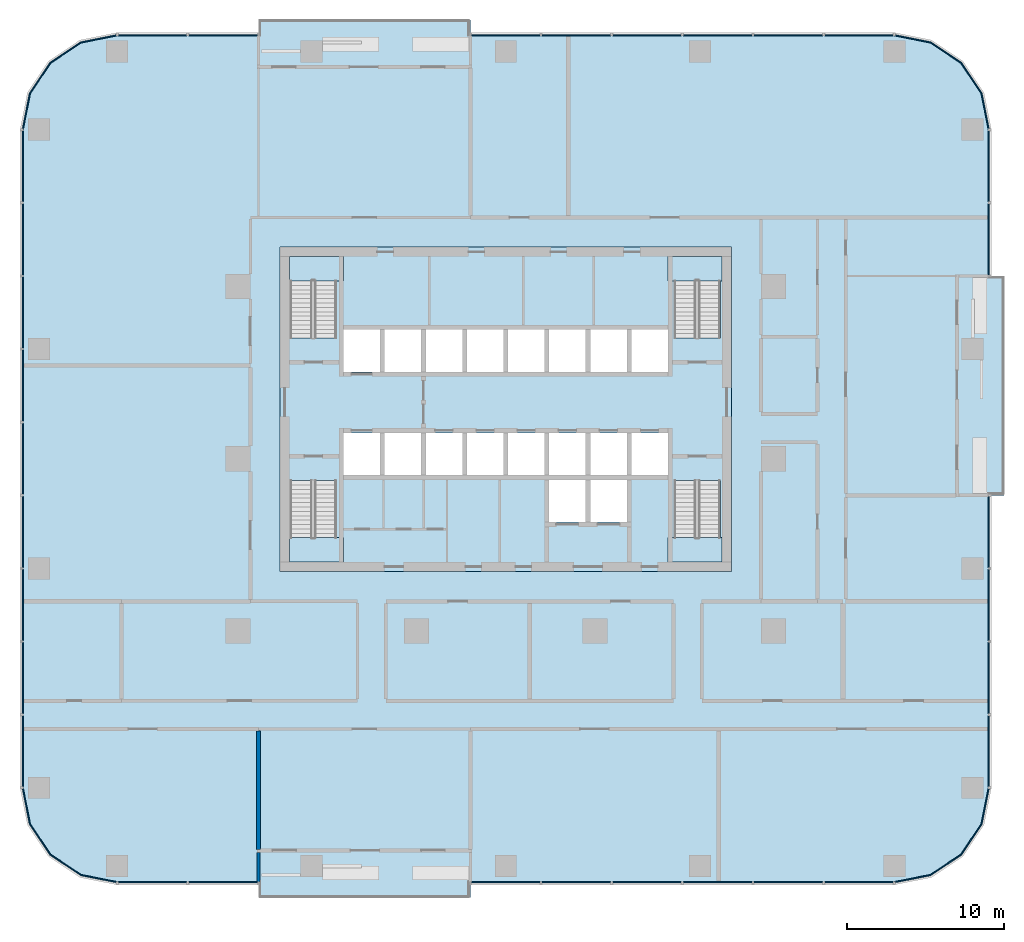
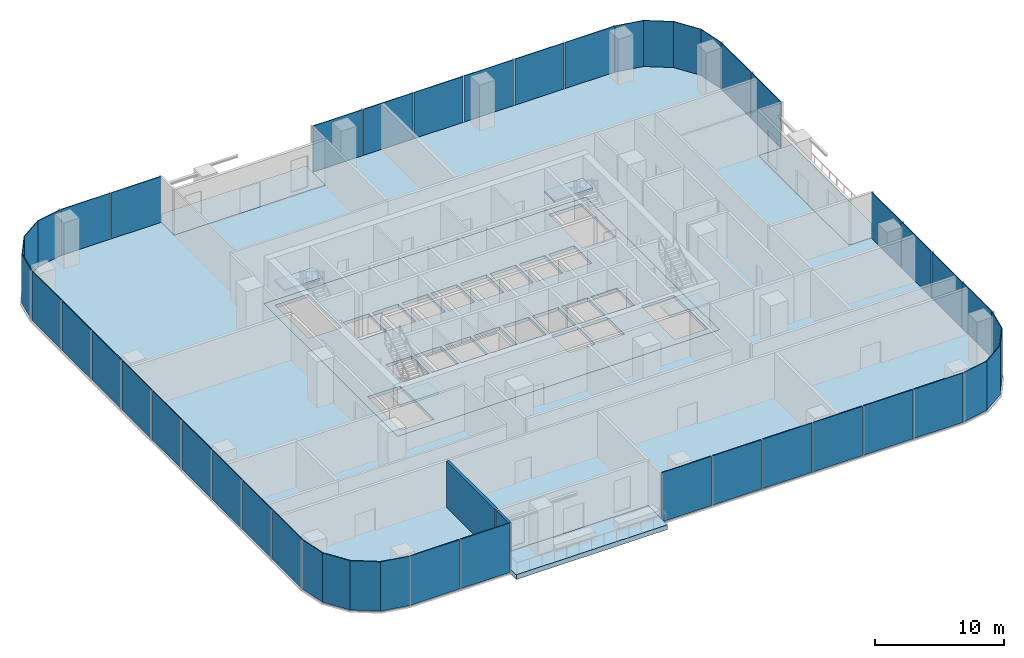
# One storey, part 6 of 15: 35 plates, 9 slabs, 2 walls, 15 elements without a shape of their own.
"""IFC4 building model written with IfcOpenShell, lengths in metres."""

from ifc_helpers import new_model, si_unit, direction, frame, frame_2d, origin, origin_2d, place, context, subcontext, project, spatial, polyline, rectangle, outline, extrude, material, layer, layer_set, type_object, element, aggregate, save


model = new_model("IFC4")

# Units and contexts
model_context = context("Model", 3, precision=1e-05, world=origin(), true_north=direction((0.0, 1.0)))
body_context = subcontext(model_context, "Body", "Model", "MODEL_VIEW")
ifc_project = project(units=[si_unit("LENGTHUNIT", "METRE"), si_unit("AREAUNIT", "SQUARE_METRE"), si_unit("VOLUMEUNIT", "CUBIC_METRE"), si_unit("PLANEANGLEUNIT", "RADIAN"), si_unit("MASSUNIT", "GRAM", prefix="KILO")], contexts=[model_context])

# Site, building, storey
site_placement = place(None, origin())
site = spatial("IfcSite", under=ifc_project, at=site_placement, CompositionType="ELEMENT")
building_placement = place(site_placement, origin())
building = spatial("IfcBuilding", under=site, at=building_placement, Name="Mopane Tessera Tower", CompositionType="ELEMENT")
storey_placement = place(building_placement, frame((0.0, 0.0, 79.0)))
storey = spatial("IfcBuildingStorey", under=building, at=storey_placement, Name="L15", CompositionType="ELEMENT", Elevation=79.0)

# Slab
ifc_material_1 = material(Name="Concrete C40/50", Category="concrete")
ifc_layer_1 = layer(ifc_material_1, 0.300048828125)
ifc_layer_set_1 = layer_set([ifc_layer_1], Name="Concrete C40/50")
slab_type_1 = type_object("IfcSlabType", Name="Core floor slab 300 mm", PredefinedType="FLOOR", material=ifc_layer_set_1)
slab_1_placement = place(storey_placement, frame((0.0, 0.0, -0.300048828125)))
element("IfcSlab", 1, at=slab_1_placement, inside=storey, type_object=slab_type_1, Name="L15 core floor slab", PredefinedType="FLOOR", context=body_context, shape_type="SweptSolid", body=[
    extrude(outline(polyline([(-14.39990234375, -7.199951171875), (14.39990234375, -7.199951171875), (14.39990234375, 13.5), (-14.39990234375, 13.5), (-14.39990234375, -7.199951171875)]), holes=[polyline([(-10.35009765625, -1.050048828125), (-8.02490234375, -1.050048828125), (-8.02490234375, 1.64990234375), (-10.35009765625, 1.64990234375), (-10.35009765625, -1.050048828125)]), polyline([(-7.72509765625, -1.050048828125), (-5.39990234375, -1.050048828125), (-5.39990234375, 1.64990234375), (-7.72509765625, 1.64990234375), (-7.72509765625, -1.050048828125)]), polyline([(-5.10009765625, -1.050048828125), (-2.77490234375, -1.050048828125), (-2.77490234375, 1.64990234375), (-5.10009765625, 1.64990234375), (-5.10009765625, -1.050048828125)]), polyline([(-2.47509765625, -1.050048828125), (-0.14990234375, -1.050048828125), (-0.14990234375, 1.64990234375), (-2.47509765625, 1.64990234375), (-2.47509765625, -1.050048828125)]), polyline([(0.14990234375, -1.050048828125), (2.47509765625, -1.050048828125), (2.47509765625, 1.64990234375), (0.14990234375, 1.64990234375), (0.14990234375, -1.050048828125)]), polyline([(2.77490234375, -1.050048828125), (5.10009765625, -1.050048828125), (5.10009765625, 1.64990234375), (2.77490234375, 1.64990234375), (2.77490234375, -1.050048828125)]), polyline([(5.39990234375, -1.050048828125), (7.72509765625, -1.050048828125), (7.72509765625, 1.64990234375), (5.39990234375, 1.64990234375), (5.39990234375, -1.050048828125)]), polyline([(8.02490234375, -1.050048828125), (10.35009765625, -1.050048828125), (10.35009765625, 1.64990234375), (8.02490234375, 1.64990234375), (8.02490234375, -1.050048828125)]), polyline([(-10.35009765625, 5.550048828125), (-8.02490234375, 5.550048828125), (-8.02490234375, 8.25), (-10.35009765625, 8.25), (-10.35009765625, 5.550048828125)]), polyline([(-7.72509765625, 5.550048828125), (-5.39990234375, 5.550048828125), (-5.39990234375, 8.25), (-7.72509765625, 8.25), (-7.72509765625, 5.550048828125)]), polyline([(-5.10009765625, 5.550048828125), (-2.77490234375, 5.550048828125), (-2.77490234375, 8.25), (-5.10009765625, 8.25), (-5.10009765625, 5.550048828125)]), polyline([(-2.47509765625, 5.550048828125), (-0.14990234375, 5.550048828125), (-0.14990234375, 8.25), (-2.47509765625, 8.25), (-2.47509765625, 5.550048828125)]), polyline([(0.14990234375, 5.550048828125), (2.47509765625, 5.550048828125), (2.47509765625, 8.25), (0.14990234375, 8.25), (0.14990234375, 5.550048828125)]), polyline([(2.77490234375, 5.550048828125), (5.10009765625, 5.550048828125), (5.10009765625, 8.25), (2.77490234375, 8.25), (2.77490234375, 5.550048828125)]), polyline([(5.39990234375, 5.550048828125), (7.72509765625, 5.550048828125), (7.72509765625, 8.25), (5.39990234375, 8.25), (5.39990234375, 5.550048828125)]), polyline([(8.02490234375, 5.550048828125), (10.35009765625, 5.550048828125), (10.35009765625, 8.25), (8.02490234375, 8.25), (8.02490234375, 5.550048828125)]), polyline([(2.77490234375, -4.050048828125), (5.10009765625, -4.050048828125), (5.10009765625, -1.35009765625), (2.77490234375, -1.35009765625), (2.77490234375, -4.050048828125)]), polyline([(5.39990234375, -4.050048828125), (7.72509765625, -4.050048828125), (7.72509765625, -1.35009765625), (5.39990234375, -1.35009765625), (5.39990234375, -4.050048828125)]), polyline([(-13.75, -1.405029296875), (-13.75, -6.60009765625), (-10.800048828125, -6.60009765625), (-10.800048828125, -1.405029296875), (-13.75, -1.405029296875)]), polyline([(-10.800048828125, 7.705078125), (-10.800048828125, 12.89990234375), (-13.75, 12.89990234375), (-13.75, 7.705078125), (-10.800048828125, 7.705078125)]), polyline([(10.75, -1.405029296875), (10.75, -6.60009765625), (13.699951171875, -6.60009765625), (13.699951171875, -1.405029296875), (10.75, -1.405029296875)]), polyline([(13.699951171875, 7.705078125), (13.699951171875, 12.89990234375), (10.75, 12.89990234375), (10.75, 7.705078125), (13.699951171875, 7.705078125)])]), origin(), (0.0, 0.0, 1.0), 0.300048828125),
])

# Stair, slab
ifc_material_2 = material(Name="Concrete C50/60", Category="concrete")
stair_type = type_object("IfcStairType", Name="Escape stair 1400 mm, riser 171 mm", PredefinedType="HALF_TURN_STAIR", material=ifc_material_2)
stair_1_placement = place(storey_placement, origin())
stair_1 = element("IfcStair", 2, at=stair_1_placement, inside=storey, type_object=stair_type, Name="L15 Escape stair south-west", PredefinedType="HALF_TURN_STAIR")
ifc_material_3 = material(Name="Concrete C50/60", Category="concrete")
ifc_layer_2 = layer(ifc_material_3, 0.199951171875)
ifc_layer_set_2 = layer_set([ifc_layer_2], Name="Concrete C50/60")
slab_type_2 = type_object("IfcSlabType", Name="Escape stair landing 200 mm", PredefinedType="LANDING", material=ifc_layer_set_2)
slab_2_placement = place(storey_placement, frame((0.0, 0.0, 2.199951171875)))
slab_2 = element("IfcSlab", 3, at=slab_2_placement, type_object=slab_type_2, Name="ST1 landing 1", PredefinedType="LANDING", context=body_context, shape_type="SweptSolid", body=[
    extrude(outline(polyline([(-13.800048828125, -5.0400390625), (-13.800048828125, -6.60009765625), (-10.35009765625, -6.60009765625), (-10.35009765625, -5.0400390625), (-13.800048828125, -5.0400390625)])), origin(), (0.0, 0.0, 1.0), 0.199951171875),
])
aggregate(stair_1, [slab_2])

stair_2_placement = place(storey_placement, origin())
stair_2 = element("IfcStair", 4, at=stair_2_placement, inside=storey, type_object=stair_type, Name="L15 Escape stair north-west", PredefinedType="HALF_TURN_STAIR")
slab_3_placement = place(storey_placement, frame((0.0, 0.0, 2.199951171875)))
slab_3 = element("IfcSlab", 5, at=slab_3_placement, type_object=slab_type_2, Name="ST2 landing 1", PredefinedType="LANDING", context=body_context, shape_type="SweptSolid", body=[
    extrude(outline(polyline([(-10.35009765625, 11.340087890625), (-10.35009765625, 12.89990234375), (-13.800048828125, 12.89990234375), (-13.800048828125, 11.340087890625), (-10.35009765625, 11.340087890625)])), origin(), (0.0, 0.0, 1.0), 0.199951171875),
])
aggregate(stair_2, [slab_3])

stair_3_placement = place(storey_placement, origin())
stair_3 = element("IfcStair", 6, at=stair_3_placement, inside=storey, type_object=stair_type, Name="L15 Escape stair south-east", PredefinedType="HALF_TURN_STAIR")
slab_4_placement = place(storey_placement, frame((0.0, 0.0, 2.199951171875)))
slab_4 = element("IfcSlab", 7, at=slab_4_placement, type_object=slab_type_2, Name="ST3 landing 1", PredefinedType="LANDING", context=body_context, shape_type="SweptSolid", body=[
    extrude(outline(polyline([(10.35009765625, -5.0400390625), (10.35009765625, -6.60009765625), (13.800048828125, -6.60009765625), (13.800048828125, -5.0400390625), (10.35009765625, -5.0400390625)])), origin(), (0.0, 0.0, 1.0), 0.199951171875),
])
aggregate(stair_3, [slab_4])

stair_4_placement = place(storey_placement, origin())
stair_4 = element("IfcStair", 8, at=stair_4_placement, inside=storey, type_object=stair_type, Name="L15 Escape stair north-east", PredefinedType="HALF_TURN_STAIR")
slab_5_placement = place(storey_placement, frame((0.0, 0.0, 2.199951171875)))
slab_5 = element("IfcSlab", 9, at=slab_5_placement, type_object=slab_type_2, Name="ST4 landing 1", PredefinedType="LANDING", context=body_context, shape_type="SweptSolid", body=[
    extrude(outline(polyline([(13.800048828125, 11.340087890625), (13.800048828125, 12.89990234375), (10.35009765625, 12.89990234375), (10.35009765625, 11.340087890625), (13.800048828125, 11.340087890625)])), origin(), (0.0, 0.0, 1.0), 0.199951171875),
])
aggregate(stair_4, [slab_5])

# Curtain wall, plates
ifc_material_4 = material(Name="Aluminium frame", Category="aluminium")
curtain_wall_type = type_object("IfcCurtainWallType", Name="Lower tower unitised wall", PredefinedType="NOTDEFINED", material=ifc_material_4)
curtain_wall_1_placement = place(storey_placement, origin())
curtain_wall_1 = element("IfcCurtainWall", 10, at=curtain_wall_1_placement, inside=storey, type_object=curtain_wall_type, Name="e:cw:L15:S:0", PredefinedType="NOTDEFINED")
ifc_material_5 = material(Name="Clear laminated glass", Category="glass")
ifc_layer_3 = layer(ifc_material_5, 0.070068359375)
ifc_layer_set_3 = layer_set([ifc_layer_3], Name="Clear laminated glass")
plate_type = type_object("IfcPlateType", Name="Laminated glazed unit 70", PredefinedType="CURTAIN_PANEL", material=ifc_layer_set_3)
plate_1_placement = place(storey_placement, frame((-22.54541015625, -27.034912109375, -0.31005859375), z_axis=(0.0, 0.0, 1.0), x_axis=(1.0, 0.0, 0.0)))
plate_1 = element("IfcPlate", 11, at=plate_1_placement, type_object=plate_type, Name="e:cw:L15:S:0:pn0", PredefinedType="CURTAIN_PANEL", context=body_context, shape_type="SweptSolid", body=[
    extrude(rectangle(XDim=4.399169921875, YDim=0.070068359375, at=origin_2d()), origin(), (0.0, 0.0, 1.0), 4.659912109375),
])
plate_2_placement = place(storey_placement, frame((-18.036376953125, -27.034912109375, -0.31005859375), z_axis=(0.0, 0.0, 1.0), x_axis=(1.0, 0.0, 0.0)))
plate_2 = element("IfcPlate", 12, at=plate_2_placement, type_object=plate_type, Name="e:cw:L15:S:0:pn1", PredefinedType="CURTAIN_PANEL", context=body_context, shape_type="SweptSolid", body=[
    extrude(rectangle(XDim=4.399169921875, YDim=0.070068359375, at=origin_2d()), origin(), (0.0, 0.0, 1.0), 4.659912109375),
])
aggregate(curtain_wall_1, [plate_1, plate_2])

curtain_wall_2_placement = place(storey_placement, origin())
curtain_wall_2 = element("IfcCurtainWall", 13, at=curtain_wall_2_placement, inside=storey, type_object=curtain_wall_type, Name="e:cw:L15:S:5", PredefinedType="NOTDEFINED")
plate_3_placement = place(storey_placement, frame((0.0, -27.034912109375, -0.31005859375), z_axis=(0.0, 0.0, 1.0), x_axis=(1.0, 0.0, 0.0)))
plate_3 = element("IfcPlate", 14, at=plate_3_placement, type_object=plate_type, Name="e:cw:L15:S:5:pn5", PredefinedType="CURTAIN_PANEL", context=body_context, shape_type="SweptSolid", body=[
    extrude(rectangle(XDim=4.399169921875, YDim=0.070068359375, at=origin_2d()), origin(), (0.0, 0.0, 1.0), 4.659912109375),
])
plate_4_placement = place(storey_placement, frame((4.509033203125, -27.034912109375, -0.31005859375), z_axis=(0.0, 0.0, 1.0), x_axis=(1.0, 0.0, 0.0)))
plate_4 = element("IfcPlate", 15, at=plate_4_placement, type_object=plate_type, Name="e:cw:L15:S:5:pn6", PredefinedType="CURTAIN_PANEL", context=body_context, shape_type="SweptSolid", body=[
    extrude(rectangle(XDim=4.399169921875, YDim=0.070068359375, at=origin_2d()), origin(), (0.0, 0.0, 1.0), 4.659912109375),
])
plate_5_placement = place(storey_placement, frame((9.01806640625, -27.034912109375, -0.31005859375), z_axis=(0.0, 0.0, 1.0), x_axis=(1.0, 0.0, 0.0)))
plate_5 = element("IfcPlate", 16, at=plate_5_placement, type_object=plate_type, Name="e:cw:L15:S:5:pn7", PredefinedType="CURTAIN_PANEL", context=body_context, shape_type="SweptSolid", body=[
    extrude(rectangle(XDim=4.399169921875, YDim=0.070068359375, at=origin_2d()), origin(), (0.0, 0.0, 1.0), 4.659912109375),
])
plate_6_placement = place(storey_placement, frame((13.52734375, -27.034912109375, -0.31005859375), z_axis=(0.0, 0.0, 1.0), x_axis=(1.0, 0.0, 0.0)))
plate_6 = element("IfcPlate", 17, at=plate_6_placement, type_object=plate_type, Name="e:cw:L15:S:5:pn8", PredefinedType="CURTAIN_PANEL", context=body_context, shape_type="SweptSolid", body=[
    extrude(rectangle(XDim=4.399169921875, YDim=0.070068359375, at=origin_2d()), origin(), (0.0, 0.0, 1.0), 4.659912109375),
])
plate_7_placement = place(storey_placement, frame((18.036376953125, -27.034912109375, -0.31005859375), z_axis=(0.0, 0.0, 1.0), x_axis=(1.0, 0.0, 0.0)))
plate_7 = element("IfcPlate", 18, at=plate_7_placement, type_object=plate_type, Name="e:cw:L15:S:5:pn9", PredefinedType="CURTAIN_PANEL", context=body_context, shape_type="SweptSolid", body=[
    extrude(rectangle(XDim=4.399169921875, YDim=0.070068359375, at=origin_2d()), origin(), (0.0, 0.0, 1.0), 4.659912109375),
])
plate_8_placement = place(storey_placement, frame((22.54541015625, -27.034912109375, -0.31005859375), z_axis=(0.0, 0.0, 1.0), x_axis=(1.0, 0.0, 0.0)))
plate_8 = element("IfcPlate", 19, at=plate_8_placement, type_object=plate_type, Name="e:cw:L15:S:5:pn10", PredefinedType="CURTAIN_PANEL", context=body_context, shape_type="SweptSolid", body=[
    extrude(rectangle(XDim=4.399169921875, YDim=0.070068359375, at=origin_2d()), origin(), (0.0, 0.0, 1.0), 4.659912109375),
])
aggregate(curtain_wall_2, [plate_3, plate_4, plate_5, plate_6, plate_7, plate_8])

# Curtain wall, plate
curtain_wall_3_placement = place(storey_placement, origin())
curtain_wall_3 = element("IfcCurtainWall", 20, at=curtain_wall_3_placement, inside=storey, type_object=curtain_wall_type, Name="e:cw:L15:CS", PredefinedType="NOTDEFINED")
plate_9_placement = place(storey_placement, frame((0.0, 0.0, -0.31005859375)))
plate_9 = element("IfcPlate", 21, at=plate_9_placement, type_object=plate_type, Name="e:cw:L15:CS:pn", PredefinedType="CURTAIN_PANEL", context=body_context, shape_type="SweptSolid", body=[
    extrude(outline(polyline([(24.800048828125, -27.0), (27.09619140625, -26.543212890625), (29.042724609375, -25.24267578125), (30.34326171875, -23.296142578125), (30.800048828125, -21.0), (30.8701171875, -21.0), (30.407958984375, -23.322998046875), (29.092041015625, -25.292236328125), (27.122802734375, -26.60791015625), (24.800048828125, -27.070068359375), (24.800048828125, -27.0)])), origin(), (0.0, 0.0, 1.0), 4.66015625),
])
aggregate(curtain_wall_3, [plate_9])

# Curtain wall, plates
curtain_wall_4_placement = place(storey_placement, origin())
curtain_wall_4 = element("IfcCurtainWall", 22, at=curtain_wall_4_placement, inside=storey, type_object=curtain_wall_type, Name="e:cw:L15:E:0", PredefinedType="NOTDEFINED")
plate_10_placement = place(storey_placement, frame((30.8349609375, -18.666748046875, -0.31005859375), z_axis=(0.0, 0.0, 1.0), x_axis=(0.0, 1.0, 0.0)))
plate_10 = element("IfcPlate", 23, at=plate_10_placement, type_object=plate_type, Name="e:cw:L15:E:0:pn0", PredefinedType="CURTAIN_PANEL", context=body_context, shape_type="SweptSolid", body=[
    extrude(rectangle(XDim=4.556640625, YDim=0.070068359375, at=origin_2d()), origin(), (0.0, 0.0, 1.0), 4.659912109375),
])
plate_11_placement = place(storey_placement, frame((30.8349609375, -14.0, -0.31005859375), z_axis=(0.0, 0.0, 1.0), x_axis=(0.0, 1.0, 0.0)))
plate_11 = element("IfcPlate", 24, at=plate_11_placement, type_object=plate_type, Name="e:cw:L15:E:0:pn1", PredefinedType="CURTAIN_PANEL", context=body_context, shape_type="SweptSolid", body=[
    extrude(rectangle(XDim=4.556640625, YDim=0.070068359375, at=origin_2d()), origin(), (0.0, 0.0, 1.0), 4.659912109375),
])
plate_12_placement = place(storey_placement, frame((30.8349609375, -9.333251953125, -0.31005859375), z_axis=(0.0, 0.0, 1.0), x_axis=(0.0, 1.0, 0.0)))
plate_12 = element("IfcPlate", 25, at=plate_12_placement, type_object=plate_type, Name="e:cw:L15:E:0:pn2", PredefinedType="CURTAIN_PANEL", context=body_context, shape_type="SweptSolid", body=[
    extrude(rectangle(XDim=4.556640625, YDim=0.070068359375, at=origin_2d()), origin(), (0.0, 0.0, 1.0), 4.659912109375),
])
plate_13_placement = place(storey_placement, frame((30.8349609375, -4.666748046875, -0.31005859375), z_axis=(0.0, 0.0, 1.0), x_axis=(0.0, 1.0, 0.0)))
plate_13 = element("IfcPlate", 26, at=plate_13_placement, type_object=plate_type, Name="e:cw:L15:E:0:pn3", PredefinedType="CURTAIN_PANEL", context=body_context, shape_type="SweptSolid", body=[
    extrude(rectangle(XDim=4.556640625, YDim=0.070068359375, at=origin_2d()), origin(), (0.0, 0.0, 1.0), 4.659912109375),
])
aggregate(curtain_wall_4, [plate_10, plate_11, plate_12, plate_13])

curtain_wall_5_placement = place(storey_placement, origin())
curtain_wall_5 = element("IfcCurtainWall", 27, at=curtain_wall_5_placement, inside=storey, type_object=curtain_wall_type, Name="e:cw:L15:E:7", PredefinedType="NOTDEFINED")
plate_14_placement = place(storey_placement, frame((30.8349609375, 14.0, -0.31005859375), z_axis=(0.0, 0.0, 1.0), x_axis=(0.0, 1.0, 0.0)))
plate_14 = element("IfcPlate", 28, at=plate_14_placement, type_object=plate_type, Name="e:cw:L15:E:7:pn7", PredefinedType="CURTAIN_PANEL", context=body_context, shape_type="SweptSolid", body=[
    extrude(rectangle(XDim=4.556640625, YDim=0.070068359375, at=origin_2d()), origin(), (0.0, 0.0, 1.0), 4.659912109375),
])
plate_15_placement = place(storey_placement, frame((30.8349609375, 18.666748046875, -0.31005859375), z_axis=(0.0, 0.0, 1.0), x_axis=(0.0, 1.0, 0.0)))
plate_15 = element("IfcPlate", 29, at=plate_15_placement, type_object=plate_type, Name="e:cw:L15:E:7:pn8", PredefinedType="CURTAIN_PANEL", context=body_context, shape_type="SweptSolid", body=[
    extrude(rectangle(XDim=4.556640625, YDim=0.070068359375, at=origin_2d()), origin(), (0.0, 0.0, 1.0), 4.659912109375),
])
aggregate(curtain_wall_5, [plate_14, plate_15])

# Curtain wall, plate
curtain_wall_6_placement = place(storey_placement, origin())
curtain_wall_6 = element("IfcCurtainWall", 30, at=curtain_wall_6_placement, inside=storey, type_object=curtain_wall_type, Name="e:cw:L15:CE", PredefinedType="NOTDEFINED")
plate_16_placement = place(storey_placement, frame((0.0, 0.0, -0.31005859375)))
plate_16 = element("IfcPlate", 31, at=plate_16_placement, type_object=plate_type, Name="e:cw:L15:CE:pn", PredefinedType="CURTAIN_PANEL", context=body_context, shape_type="SweptSolid", body=[
    extrude(outline(polyline([(30.800048828125, 21.0), (30.34326171875, 23.296142578125), (29.042724609375, 25.24267578125), (27.09619140625, 26.543212890625), (24.800048828125, 27.0), (24.800048828125, 27.070068359375), (27.122802734375, 26.60791015625), (29.092041015625, 25.292236328125), (30.407958984375, 23.322998046875), (30.8701171875, 21.0), (30.800048828125, 21.0)])), origin(), (0.0, 0.0, 1.0), 4.66015625),
])
aggregate(curtain_wall_6, [plate_16])

# Curtain wall, plates
curtain_wall_7_placement = place(storey_placement, origin())
curtain_wall_7 = element("IfcCurtainWall", 32, at=curtain_wall_7_placement, inside=storey, type_object=curtain_wall_type, Name="e:cw:L15:N:0", PredefinedType="NOTDEFINED")
plate_17_placement = place(storey_placement, frame((22.54541015625, 27.034912109375, -0.31005859375), z_axis=(0.0, 0.0, 1.0), x_axis=(-1.0, 0.0, 0.0)))
plate_17 = element("IfcPlate", 33, at=plate_17_placement, type_object=plate_type, Name="e:cw:L15:N:0:pn0", PredefinedType="CURTAIN_PANEL", context=body_context, shape_type="SweptSolid", body=[
    extrude(rectangle(XDim=4.399169921875, YDim=0.070068359375, at=origin_2d()), origin(), (0.0, 0.0, 1.0), 4.659912109375),
])
plate_18_placement = place(storey_placement, frame((18.036376953125, 27.034912109375, -0.31005859375), z_axis=(0.0, 0.0, 1.0), x_axis=(-1.0, 0.0, 0.0)))
plate_18 = element("IfcPlate", 34, at=plate_18_placement, type_object=plate_type, Name="e:cw:L15:N:0:pn1", PredefinedType="CURTAIN_PANEL", context=body_context, shape_type="SweptSolid", body=[
    extrude(rectangle(XDim=4.399169921875, YDim=0.070068359375, at=origin_2d()), origin(), (0.0, 0.0, 1.0), 4.659912109375),
])
plate_19_placement = place(storey_placement, frame((13.52734375, 27.034912109375, -0.31005859375), z_axis=(0.0, 0.0, 1.0), x_axis=(-1.0, 0.0, 0.0)))
plate_19 = element("IfcPlate", 35, at=plate_19_placement, type_object=plate_type, Name="e:cw:L15:N:0:pn2", PredefinedType="CURTAIN_PANEL", context=body_context, shape_type="SweptSolid", body=[
    extrude(rectangle(XDim=4.399169921875, YDim=0.070068359375, at=origin_2d()), origin(), (0.0, 0.0, 1.0), 4.659912109375),
])
plate_20_placement = place(storey_placement, frame((9.01806640625, 27.034912109375, -0.31005859375), z_axis=(0.0, 0.0, 1.0), x_axis=(-1.0, 0.0, 0.0)))
plate_20 = element("IfcPlate", 36, at=plate_20_placement, type_object=plate_type, Name="e:cw:L15:N:0:pn3", PredefinedType="CURTAIN_PANEL", context=body_context, shape_type="SweptSolid", body=[
    extrude(rectangle(XDim=4.399169921875, YDim=0.070068359375, at=origin_2d()), origin(), (0.0, 0.0, 1.0), 4.659912109375),
])
plate_21_placement = place(storey_placement, frame((4.509033203125, 27.034912109375, -0.31005859375), z_axis=(0.0, 0.0, 1.0), x_axis=(-1.0, 0.0, 0.0)))
plate_21 = element("IfcPlate", 37, at=plate_21_placement, type_object=plate_type, Name="e:cw:L15:N:0:pn4", PredefinedType="CURTAIN_PANEL", context=body_context, shape_type="SweptSolid", body=[
    extrude(rectangle(XDim=4.399169921875, YDim=0.070068359375, at=origin_2d()), origin(), (0.0, 0.0, 1.0), 4.659912109375),
])
plate_22_placement = place(storey_placement, frame((0.0, 27.034912109375, -0.31005859375), z_axis=(0.0, 0.0, 1.0), x_axis=(-1.0, 0.0, 0.0)))
plate_22 = element("IfcPlate", 38, at=plate_22_placement, type_object=plate_type, Name="e:cw:L15:N:0:pn5", PredefinedType="CURTAIN_PANEL", context=body_context, shape_type="SweptSolid", body=[
    extrude(rectangle(XDim=4.399169921875, YDim=0.070068359375, at=origin_2d()), origin(), (0.0, 0.0, 1.0), 4.659912109375),
])
aggregate(curtain_wall_7, [plate_17, plate_18, plate_19, plate_20, plate_21, plate_22])

curtain_wall_8_placement = place(storey_placement, origin())
curtain_wall_8 = element("IfcCurtainWall", 39, at=curtain_wall_8_placement, inside=storey, type_object=curtain_wall_type, Name="e:cw:L15:N:9", PredefinedType="NOTDEFINED")
plate_23_placement = place(storey_placement, frame((-18.036376953125, 27.034912109375, -0.31005859375), z_axis=(0.0, 0.0, 1.0), x_axis=(-1.0, 0.0, 0.0)))
plate_23 = element("IfcPlate", 40, at=plate_23_placement, type_object=plate_type, Name="e:cw:L15:N:9:pn9", PredefinedType="CURTAIN_PANEL", context=body_context, shape_type="SweptSolid", body=[
    extrude(rectangle(XDim=4.399169921875, YDim=0.070068359375, at=origin_2d()), origin(), (0.0, 0.0, 1.0), 4.659912109375),
])
plate_24_placement = place(storey_placement, frame((-22.54541015625, 27.034912109375, -0.31005859375), z_axis=(0.0, 0.0, 1.0), x_axis=(-1.0, 0.0, 0.0)))
plate_24 = element("IfcPlate", 41, at=plate_24_placement, type_object=plate_type, Name="e:cw:L15:N:9:pn10", PredefinedType="CURTAIN_PANEL", context=body_context, shape_type="SweptSolid", body=[
    extrude(rectangle(XDim=4.399169921875, YDim=0.070068359375, at=origin_2d()), origin(), (0.0, 0.0, 1.0), 4.659912109375),
])
aggregate(curtain_wall_8, [plate_23, plate_24])

# Curtain wall, plate
curtain_wall_9_placement = place(storey_placement, origin())
curtain_wall_9 = element("IfcCurtainWall", 42, at=curtain_wall_9_placement, inside=storey, type_object=curtain_wall_type, Name="e:cw:L15:CN", PredefinedType="NOTDEFINED")
plate_25_placement = place(storey_placement, frame((0.0, 0.0, -0.31005859375)))
plate_25 = element("IfcPlate", 43, at=plate_25_placement, type_object=plate_type, Name="e:cw:L15:CN:pn", PredefinedType="CURTAIN_PANEL", context=body_context, shape_type="SweptSolid", body=[
    extrude(outline(polyline([(-24.800048828125, 27.0), (-27.09619140625, 26.543212890625), (-29.042724609375, 25.24267578125), (-30.34326171875, 23.296142578125), (-30.800048828125, 21.0), (-30.8701171875, 21.0), (-30.407958984375, 23.322998046875), (-29.092041015625, 25.292236328125), (-27.122802734375, 26.60791015625), (-24.800048828125, 27.070068359375), (-24.800048828125, 27.0)])), origin(), (0.0, 0.0, 1.0), 4.66015625),
])
aggregate(curtain_wall_9, [plate_25])

# Curtain wall, plates
curtain_wall_10_placement = place(storey_placement, origin())
curtain_wall_10 = element("IfcCurtainWall", 44, at=curtain_wall_10_placement, inside=storey, type_object=curtain_wall_type, Name="e:cw:L15:W:0", PredefinedType="NOTDEFINED")
plate_26_placement = place(storey_placement, frame((-30.8349609375, 18.666748046875, -0.31005859375), z_axis=(0.0, 0.0, 1.0), x_axis=(0.0, -1.0, 0.0)))
plate_26 = element("IfcPlate", 45, at=plate_26_placement, type_object=plate_type, Name="e:cw:L15:W:0:pn0", PredefinedType="CURTAIN_PANEL", context=body_context, shape_type="SweptSolid", body=[
    extrude(rectangle(XDim=4.556640625, YDim=0.070068359375, at=origin_2d()), origin(), (0.0, 0.0, 1.0), 4.659912109375),
])
plate_27_placement = place(storey_placement, frame((-30.8349609375, 14.0, -0.31005859375), z_axis=(0.0, 0.0, 1.0), x_axis=(0.0, -1.0, 0.0)))
plate_27 = element("IfcPlate", 46, at=plate_27_placement, type_object=plate_type, Name="e:cw:L15:W:0:pn1", PredefinedType="CURTAIN_PANEL", context=body_context, shape_type="SweptSolid", body=[
    extrude(rectangle(XDim=4.556640625, YDim=0.070068359375, at=origin_2d()), origin(), (0.0, 0.0, 1.0), 4.659912109375),
])
plate_28_placement = place(storey_placement, frame((-30.8349609375, 9.333251953125, -0.31005859375), z_axis=(0.0, 0.0, 1.0), x_axis=(0.0, -1.0, 0.0)))
plate_28 = element("IfcPlate", 47, at=plate_28_placement, type_object=plate_type, Name="e:cw:L15:W:0:pn2", PredefinedType="CURTAIN_PANEL", context=body_context, shape_type="SweptSolid", body=[
    extrude(rectangle(XDim=4.556640625, YDim=0.070068359375, at=origin_2d()), origin(), (0.0, 0.0, 1.0), 4.659912109375),
])
plate_29_placement = place(storey_placement, frame((-30.8349609375, 4.666748046875, -0.31005859375), z_axis=(0.0, 0.0, 1.0), x_axis=(0.0, -1.0, 0.0)))
plate_29 = element("IfcPlate", 48, at=plate_29_placement, type_object=plate_type, Name="e:cw:L15:W:0:pn3", PredefinedType="CURTAIN_PANEL", context=body_context, shape_type="SweptSolid", body=[
    extrude(rectangle(XDim=4.556640625, YDim=0.070068359375, at=origin_2d()), origin(), (0.0, 0.0, 1.0), 4.659912109375),
])
plate_30_placement = place(storey_placement, frame((-30.8349609375, 0.0, -0.31005859375), z_axis=(0.0, 0.0, 1.0), x_axis=(0.0, -1.0, 0.0)))
plate_30 = element("IfcPlate", 49, at=plate_30_placement, type_object=plate_type, Name="e:cw:L15:W:0:pn4", PredefinedType="CURTAIN_PANEL", context=body_context, shape_type="SweptSolid", body=[
    extrude(rectangle(XDim=4.556640625, YDim=0.070068359375, at=origin_2d()), origin(), (0.0, 0.0, 1.0), 4.659912109375),
])
plate_31_placement = place(storey_placement, frame((-30.8349609375, -4.666748046875, -0.31005859375), z_axis=(0.0, 0.0, 1.0), x_axis=(0.0, -1.0, 0.0)))
plate_31 = element("IfcPlate", 50, at=plate_31_placement, type_object=plate_type, Name="e:cw:L15:W:0:pn5", PredefinedType="CURTAIN_PANEL", context=body_context, shape_type="SweptSolid", body=[
    extrude(rectangle(XDim=4.556640625, YDim=0.070068359375, at=origin_2d()), origin(), (0.0, 0.0, 1.0), 4.659912109375),
])
plate_32_placement = place(storey_placement, frame((-30.8349609375, -9.333251953125, -0.31005859375), z_axis=(0.0, 0.0, 1.0), x_axis=(0.0, -1.0, 0.0)))
plate_32 = element("IfcPlate", 51, at=plate_32_placement, type_object=plate_type, Name="e:cw:L15:W:0:pn6", PredefinedType="CURTAIN_PANEL", context=body_context, shape_type="SweptSolid", body=[
    extrude(rectangle(XDim=4.556640625, YDim=0.070068359375, at=origin_2d()), origin(), (0.0, 0.0, 1.0), 4.659912109375),
])
plate_33_placement = place(storey_placement, frame((-30.8349609375, -14.0, -0.31005859375), z_axis=(0.0, 0.0, 1.0), x_axis=(0.0, -1.0, 0.0)))
plate_33 = element("IfcPlate", 52, at=plate_33_placement, type_object=plate_type, Name="e:cw:L15:W:0:pn7", PredefinedType="CURTAIN_PANEL", context=body_context, shape_type="SweptSolid", body=[
    extrude(rectangle(XDim=4.556640625, YDim=0.070068359375, at=origin_2d()), origin(), (0.0, 0.0, 1.0), 4.659912109375),
])
plate_34_placement = place(storey_placement, frame((-30.8349609375, -18.666748046875, -0.31005859375), z_axis=(0.0, 0.0, 1.0), x_axis=(0.0, -1.0, 0.0)))
plate_34 = element("IfcPlate", 53, at=plate_34_placement, type_object=plate_type, Name="e:cw:L15:W:0:pn8", PredefinedType="CURTAIN_PANEL", context=body_context, shape_type="SweptSolid", body=[
    extrude(rectangle(XDim=4.556640625, YDim=0.070068359375, at=origin_2d()), origin(), (0.0, 0.0, 1.0), 4.659912109375),
])
aggregate(curtain_wall_10, [plate_26, plate_27, plate_28, plate_29, plate_30, plate_31, plate_32, plate_33, plate_34])

# Curtain wall, plate
curtain_wall_11_placement = place(storey_placement, origin())
curtain_wall_11 = element("IfcCurtainWall", 54, at=curtain_wall_11_placement, inside=storey, type_object=curtain_wall_type, Name="e:cw:L15:CW", PredefinedType="NOTDEFINED")
plate_35_placement = place(storey_placement, frame((0.0, 0.0, -0.31005859375)))
plate_35 = element("IfcPlate", 55, at=plate_35_placement, type_object=plate_type, Name="e:cw:L15:CW:pn", PredefinedType="CURTAIN_PANEL", context=body_context, shape_type="SweptSolid", body=[
    extrude(outline(polyline([(-30.800048828125, -21.0), (-30.34326171875, -23.296142578125), (-29.042724609375, -25.24267578125), (-27.09619140625, -26.543212890625), (-24.800048828125, -27.0), (-24.800048828125, -27.070068359375), (-27.122802734375, -26.60791015625), (-29.092041015625, -25.292236328125), (-30.407958984375, -23.322998046875), (-30.8701171875, -21.0), (-30.800048828125, -21.0)])), origin(), (0.0, 0.0, 1.0), 4.66015625),
])
aggregate(curtain_wall_11, [plate_35])

# Slabs
ifc_material_6 = material(Name="Concrete C40/50", Category="concrete")
ifc_layer_4 = layer(ifc_material_6, 0.449951171875)
ifc_layer_set_4 = layer_set([ifc_layer_4], Name="Concrete C40/50")
slab_type_3 = type_object("IfcSlabType", Name="Planted terrace slab 450 mm", PredefinedType="FLOOR", material=ifc_layer_set_4)
slab_6_placement = place(storey_placement, frame((0.0, 0.0, -0.449951171875)))
element("IfcSlab", 56, at=slab_6_placement, inside=storey, type_object=slab_type_3, Name="Terrace slab N1 L15", PredefinedType="FLOOR", context=body_context, shape_type="SweptSolid", body=[
    extrude(outline(polyline([(31.800048828125, 11.666748046875), (28.800048828125, 11.666748046875), (28.800048828125, -2.333251953125), (31.800048828125, -2.333251953125), (31.800048828125, 11.666748046875)])), origin(), (0.0, 0.0, 1.0), 0.449951171875),
])
slab_7_placement = place(storey_placement, frame((0.0, 0.0, -0.449951171875)))
element("IfcSlab", 57, at=slab_7_placement, inside=storey, type_object=slab_type_3, Name="Terrace slab N2 L15", PredefinedType="FLOOR", context=body_context, shape_type="SweptSolid", body=[
    extrude(outline(polyline([(-15.78173828125, 28.0), (-15.78173828125, 25.0), (-2.254638671875, 25.0), (-2.254638671875, 28.0), (-15.78173828125, 28.0)])), origin(), (0.0, 0.0, 1.0), 0.449951171875),
])
slab_8_placement = place(storey_placement, frame((0.0, 0.0, -0.449951171875)))
element("IfcSlab", 58, at=slab_8_placement, inside=storey, type_object=slab_type_3, Name="Terrace slab N3 L15", PredefinedType="FLOOR", context=body_context, shape_type="SweptSolid", body=[
    extrude(outline(polyline([(-2.254638671875, -28.0), (-2.254638671875, -25.0), (-15.78173828125, -25.0), (-15.78173828125, -28.0), (-2.254638671875, -28.0)])), origin(), (0.0, 0.0, 1.0), 0.449951171875),
])
ifc_material_7 = material(Name="Concrete C40/50", Category="concrete")
ifc_layer_5 = layer(ifc_material_7, 0.449951171875)
ifc_layer_set_5 = layer_set([ifc_layer_5], Name="Concrete C40/50")
slab_type_4 = type_object("IfcSlabType", Name="Post-tensioned flat plate 450 mm", PredefinedType="FLOOR", material=ifc_layer_set_5)
slab_9_placement = place(storey_placement, frame((0.0, 0.0, -0.449951171875)))
element("IfcSlab", 59, at=slab_9_placement, inside=storey, type_object=slab_type_4, Name="Floor slab L15", PredefinedType="FLOOR", context=body_context, shape_type="SweptSolid", body=[
    extrude(outline(polyline([(-24.800048828125, -27.0), (-15.78173828125, -27.0), (-15.78173828125, -25.0), (-2.254638671875, -25.0), (-2.254638671875, -27.0), (24.800048828125, -27.0), (27.09619140625, -26.543212890625), (29.042724609375, -25.24267578125), (30.34326171875, -23.296142578125), (30.800048828125, -21.0), (30.800048828125, -2.333251953125), (28.800048828125, -2.333251953125), (28.800048828125, 11.666748046875), (30.800048828125, 11.666748046875), (30.800048828125, 21.0), (30.34326171875, 23.296142578125), (29.042724609375, 25.24267578125), (27.09619140625, 26.543212890625), (24.800048828125, 27.0), (-2.254638671875, 27.0), (-2.254638671875, 25.0), (-15.78173828125, 25.0), (-15.78173828125, 27.0), (-24.800048828125, 27.0), (-27.09619140625, 26.543212890625), (-29.042724609375, 25.24267578125), (-30.34326171875, 23.296142578125), (-30.800048828125, 21.0), (-30.800048828125, -21.0), (-30.34326171875, -23.296142578125), (-29.042724609375, -25.24267578125), (-27.09619140625, -26.543212890625), (-24.800048828125, -27.0)]), holes=[polyline([(14.39990234375, -7.199951171875), (-14.39990234375, -7.199951171875), (-14.39990234375, 13.5), (14.39990234375, 13.5), (14.39990234375, -7.199951171875)])]), origin(), (0.0, 0.0, 1.0), 0.449951171875),
])

# Walls
ifc_material_8 = material(Name="Plastered concrete blockwork C20/25", Category="masonry")
ifc_layer_6 = layer(ifc_material_8, 0.25)
ifc_layer_set_6 = layer_set([ifc_layer_6], Name="Plastered concrete blockwork C20/25")
wall_type_1 = type_object("IfcWallType", Name="Plastered blockwork wall 250, rated EI 120", PredefinedType="PARTITIONING", material=ifc_layer_set_6)
wall_1_placement = place(storey_placement, frame((-15.780029296875, -24.949951171875, 0.0), z_axis=(0.0, 0.0, 1.0), x_axis=(0.0, 1.0, 0.0)))
element("IfcWall", 60, at=wall_1_placement, inside=storey, type_object=wall_type_1, Name="Partition L15:029", PredefinedType="PARTITIONING", context=body_context, shape_type="SweptSolid", body=[
    extrude(rectangle(XDim=7.574951171875, YDim=0.25, at=frame_2d((3.78759765625, 0.0))), origin(), (0.0, 0.0, 1.0), 4.35009765625),
])
ifc_material_9 = material(Name="Blockwork with glazed tile facing", Category="masonry")
ifc_layer_7 = layer(ifc_material_9, 0.199951171875)
ifc_layer_set_7 = layer_set([ifc_layer_7], Name="Blockwork with glazed tile facing")
wall_type_2 = type_object("IfcWallType", Name="Terrace cheek wall 200", PredefinedType="STANDARD", material=ifc_layer_set_7)
wall_2_placement = place(storey_placement, frame((-15.78173828125, -27.0, 0.0), z_axis=(0.0, 0.0, 1.0), x_axis=(0.0, 1.0, 0.0)))
element("IfcWall", 61, at=wall_2_placement, inside=storey, type_object=wall_type_2, Name="e:nw:L15:N3:cheeka", PredefinedType="STANDARD", context=body_context, shape_type="SweptSolid", body=[
    extrude(rectangle(XDim=1.875, YDim=0.199951171875, at=frame_2d((0.9375, 0.0))), origin(), (0.0, 0.0, 1.0), 4.35009765625),
])

save(model, "model.ifc")
